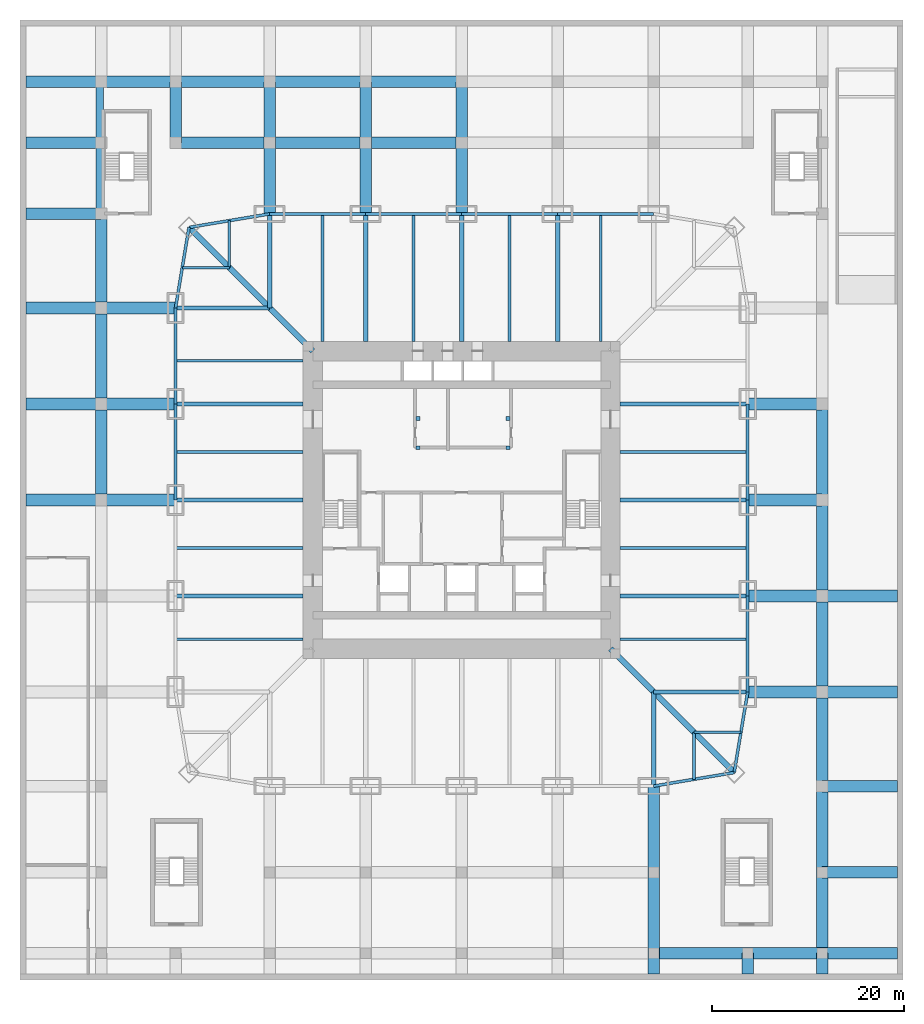
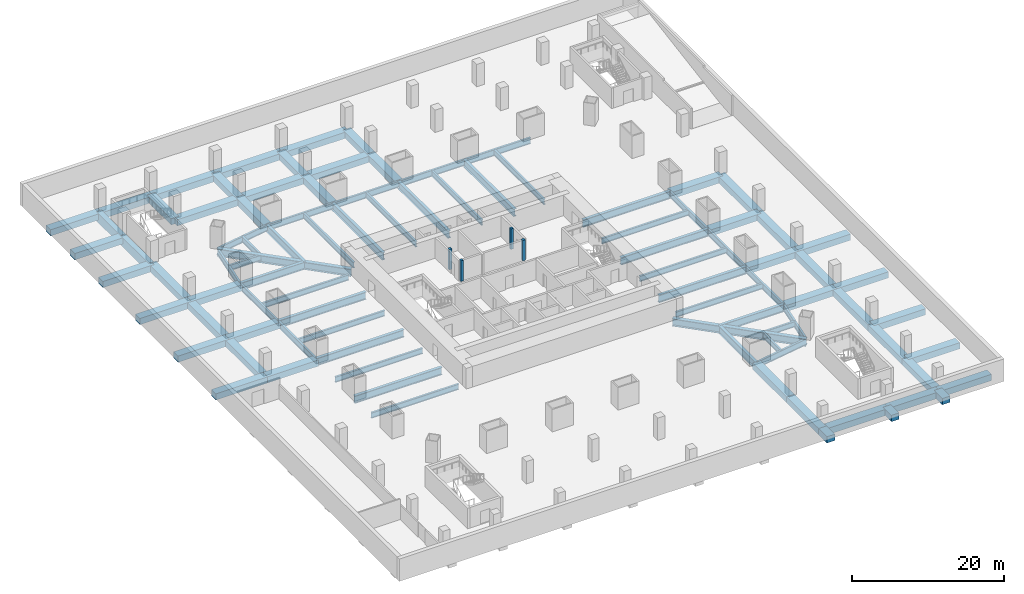
# One storey, part 2 of 11: 93 beams, 4 members.
"""IFC4 building model written with IfcOpenShell, lengths in metres."""

from ifc_helpers import new_model, si_unit, direction, frame, origin, origin_2d, place, context, subcontext, project, spatial, rectangle, i_section, extrude, material, material_profile, profile_set, type_object, element, save


model = new_model("IFC4")

# Units and contexts
model_context = context("Model", 3, precision=1e-05, world=origin(), true_north=direction((0.0, 1.0)))
body_context = subcontext(model_context, "Body", "Model", "MODEL_VIEW")
ifc_project = project(units=[si_unit("LENGTHUNIT", "METRE"), si_unit("AREAUNIT", "SQUARE_METRE"), si_unit("VOLUMEUNIT", "CUBIC_METRE"), si_unit("PLANEANGLEUNIT", "RADIAN"), si_unit("MASSUNIT", "GRAM", prefix="KILO")], contexts=[model_context])

# Site, building, storey
site_placement = place(None, origin())
site = spatial("IfcSite", under=ifc_project, at=site_placement, CompositionType="ELEMENT")
building_placement = place(site_placement, origin())
building = spatial("IfcBuilding", under=site, at=building_placement, Name="Khuree Lantern Residences", CompositionType="ELEMENT")
storey_placement = place(building_placement, frame((0.0, 0.0, -9.0)))
storey = spatial("IfcBuildingStorey", under=building, at=storey_placement, Name="B2", CompositionType="ELEMENT", Elevation=-9.0)

# Beams
ifc_material_1 = material(Name="Steel S355", Category="steel")
ifc_material_profile_1 = material_profile(ifc_material_1, i_section(OverallWidth=0.300048828125, OverallDepth=0.89990234375, WebThickness=0.0185546875, FlangeThickness=0.034912109375, FilletRadius=0.030029296875, at=origin_2d()), Name="HE 900 B")
ifc_profile_set_1 = profile_set([ifc_material_profile_1], Name="Steel S355")
beam_type_1 = type_object("IfcBeamType", Name="B-B2 SECONDARY BEAM HE 900 B", PredefinedType="BEAM", material=ifc_profile_set_1)
for number, where, z_axis, x_axis, name in (
    (1, (-14.5, 29.800048828125, -0.75), (0.0, -1.0, 0.0), (1.0, 0.0, 0.0), "Secondary beam N1"),
    (2, (-5.0, 29.800048828125, -0.75), (0.0, -1.0, 0.0), (1.0, 0.0, 0.0), "Secondary beam N2"),
    (3, (5.0, 29.800048828125, -0.75), (0.0, -1.0, 0.0), (1.0, 0.0, 0.0), "Secondary beam N3"),
    (4, (14.5, 29.800048828125, -0.75), (0.0, -1.0, 0.0), (1.0, 0.0, 0.0), "Secondary beam N4"),
    (5, (29.800048828125, 5.0, -0.75), (-1.0, 0.0, 0.0), (0.0, -1.0, 0.0), "Secondary beam E3"),
    (6, (29.800048828125, -5.0, -0.75), (-1.0, 0.0, 0.0), (0.0, -1.0, 0.0), "Secondary beam E4"),
    (7, (29.800048828125, -14.5, -0.75), (-1.0, 0.0, 0.0), (0.0, -1.0, 0.0), "Secondary beam E5"),
):
    element("IfcBeam", number, at=place(storey_placement, frame(where, z_axis=z_axis, x_axis=x_axis)), inside=storey, type_object=beam_type_1, Name=name, PredefinedType="BEAM", context=body_context, shape_type="SweptSolid", body=[
        extrude(i_section(OverallWidth=0.300048828125, OverallDepth=0.89990234375, WebThickness=0.0185546875, FlangeThickness=0.034912109375, FilletRadius=0.030029296875, at=origin_2d()), origin(), (0.0, 0.0, 1.0), 13.300048828125),
    ])
for number, where, z_axis, x_axis, name in (
    (8, (29.09716796875, -24.197021484375, -0.75), (-1.0, 0.0, 0.0), (0.0, -1.0, 0.0), "Secondary beam E6"),
    (9, (24.197021484375, -29.09716796875, -0.75), (0.0, 1.0, 0.0), (-1.0, 0.0, 0.0), "Secondary beam S1"),
):
    element("IfcBeam", number, at=place(storey_placement, frame(where, z_axis=z_axis, x_axis=x_axis)), inside=storey, type_object=beam_type_1, Name=name, PredefinedType="BEAM", context=body_context, shape_type="SweptSolid", body=[
        extrude(i_section(OverallWidth=0.300048828125, OverallDepth=0.89990234375, WebThickness=0.0185546875, FlangeThickness=0.034912109375, FilletRadius=0.030029296875, at=origin_2d()), origin(), (0.0, 0.0, 1.0), 4.900146484375),
    ])
for number, where, z_axis, x_axis, name in (
    (10, (-29.800048828125, -14.5, -0.75), (1.0, 0.0, 0.0), (0.0, 1.0, 0.0), "Secondary beam W2"),
    (11, (-29.800048828125, -5.0, -0.75), (1.0, 0.0, 0.0), (0.0, 1.0, 0.0), "Secondary beam W3"),
    (12, (-29.800048828125, 5.0, -0.75), (1.0, 0.0, 0.0), (0.0, 1.0, 0.0), "Secondary beam W4"),
    (13, (-29.800048828125, 14.5, -0.75), (1.0, 0.0, 0.0), (0.0, 1.0, 0.0), "Secondary beam W5"),
):
    element("IfcBeam", number, at=place(storey_placement, frame(where, z_axis=z_axis, x_axis=x_axis)), inside=storey, type_object=beam_type_1, Name=name, PredefinedType="BEAM", context=body_context, shape_type="SweptSolid", body=[
        extrude(i_section(OverallWidth=0.300048828125, OverallDepth=0.89990234375, WebThickness=0.0185546875, FlangeThickness=0.034912109375, FilletRadius=0.030029296875, at=origin_2d()), origin(), (0.0, 0.0, 1.0), 13.300048828125),
    ])
for number, where, z_axis, x_axis, name in (
    (14, (-29.09716796875, 24.197021484375, -0.75), (1.0, 0.0, 0.0), (0.0, 1.0, 0.0), "Secondary beam W6"),
    (15, (-24.197021484375, 29.09716796875, -0.75), (0.0, -1.0, 0.0), (1.0, 0.0, 0.0), "Secondary beam N6"),
):
    element("IfcBeam", number, at=place(storey_placement, frame(where, z_axis=z_axis, x_axis=x_axis)), inside=storey, type_object=beam_type_1, Name=name, PredefinedType="BEAM", context=body_context, shape_type="SweptSolid", body=[
        extrude(i_section(OverallWidth=0.300048828125, OverallDepth=0.89990234375, WebThickness=0.0185546875, FlangeThickness=0.034912109375, FilletRadius=0.030029296875, at=origin_2d()), origin(), (0.0, 0.0, 1.0), 4.900146484375),
    ])
ifc_material_profile_2 = material_profile(ifc_material_1, i_section(OverallWidth=0.300048828125, OverallDepth=1.0, WebThickness=0.01904296875, FlangeThickness=0.035888671875, FilletRadius=0.030029296875, at=origin_2d()), Name="HE 1000 B")
ifc_profile_set_2 = profile_set([ifc_material_profile_2], Name="Steel S355")
beam_type_2 = type_object("IfcBeamType", Name="E-B2 SPANDREL BEAM HE 1000 B", PredefinedType="SPANDREL", material=ifc_profile_set_2)
for number, where, z_axis, x_axis, name in (
    (16, (-20.0, 29.800048828125, -0.800048828125), (1.0, 0.0, 0.0), (0.0, 1.0, 0.0), "Spandrel beam N1"),
    (17, (-10.0, 29.800048828125, -0.800048828125), (1.0, 0.0, 0.0), (0.0, 1.0, 0.0), "Spandrel beam N2"),
    (18, (0.0, 29.800048828125, -0.800048828125), (1.0, 0.0, 0.0), (0.0, 1.0, 0.0), "Spandrel beam N3"),
    (19, (10.0, 29.800048828125, -0.800048828125), (1.0, 0.0, 0.0), (0.0, 1.0, 0.0), "Spandrel beam N4"),
    (20, (29.800048828125, 10.0, -0.800048828125), (0.0, -1.0, 0.0), (1.0, 0.0, 0.0), "Spandrel beam E3"),
    (21, (29.800048828125, 0.0, -0.800048828125), (0.0, -1.0, 0.0), (1.0, 0.0, 0.0), "Spandrel beam E4"),
    (22, (29.800048828125, -10.0, -0.800048828125), (0.0, -1.0, 0.0), (1.0, 0.0, 0.0), "Spandrel beam E5"),
):
    element("IfcBeam", number, at=place(storey_placement, frame(where, z_axis=z_axis, x_axis=x_axis)), inside=storey, type_object=beam_type_2, Name=name, PredefinedType="SPANDREL", context=body_context, shape_type="SweptSolid", body=[
        extrude(i_section(OverallWidth=0.300048828125, OverallDepth=1.0, WebThickness=0.01904296875, FlangeThickness=0.035888671875, FilletRadius=0.030029296875, at=origin_2d()), origin(), (0.0, 0.0, 1.0), 10.0),
    ])
for number, where, z_axis, x_axis, name in (
    (23, (29.800048828125, -20.0, -0.800048828125), (-0.165199022349, -0.986260251158, 0.0), (0.986260251158, -0.165199022349, 0.0), "Spandrel beam E6"),
    (24, (28.39404296875, -28.39404296875, -0.800048828125), (-0.986260251158, -0.165199022349, 0.0), (0.165199022349, -0.986260251158, 0.0), "Spandrel beam S1"),
):
    element("IfcBeam", number, at=place(storey_placement, frame(where, z_axis=z_axis, x_axis=x_axis)), inside=storey, type_object=beam_type_2, Name=name, PredefinedType="SPANDREL", context=body_context, shape_type="SweptSolid", body=[
        extrude(i_section(OverallWidth=0.300048828125, OverallDepth=1.0, WebThickness=0.01904296875, FlangeThickness=0.035888671875, FilletRadius=0.030029296875, at=origin_2d()), origin(), (0.0, 0.0, 1.0), 8.510986328125),
    ])
for number, where, z_axis, x_axis, name in (
    (25, (-29.800048828125, 0.0, -0.800048828125), (0.0, 1.0, 0.0), (-1.0, 0.0, 0.0), "Spandrel beam W4"),
    (26, (-29.800048828125, 10.0, -0.800048828125), (0.0, 1.0, 0.0), (-1.0, 0.0, 0.0), "Spandrel beam W5"),
):
    element("IfcBeam", number, at=place(storey_placement, frame(where, z_axis=z_axis, x_axis=x_axis)), inside=storey, type_object=beam_type_2, Name=name, PredefinedType="SPANDREL", context=body_context, shape_type="SweptSolid", body=[
        extrude(i_section(OverallWidth=0.300048828125, OverallDepth=1.0, WebThickness=0.01904296875, FlangeThickness=0.035888671875, FilletRadius=0.030029296875, at=origin_2d()), origin(), (0.0, 0.0, 1.0), 10.0),
    ])
for number, where, z_axis, x_axis, name in (
    (27, (-29.800048828125, 20.0, -0.800048828125), (0.165199022349, 0.986260251158, 0.0), (-0.986260251158, 0.165199022349, 0.0), "Spandrel beam W6"),
    (28, (-28.39404296875, 28.39404296875, -0.800048828125), (0.986260251158, 0.165199022349, 0.0), (-0.165199022349, 0.986260251158, 0.0), "Spandrel beam N6"),
):
    element("IfcBeam", number, at=place(storey_placement, frame(where, z_axis=z_axis, x_axis=x_axis)), inside=storey, type_object=beam_type_2, Name=name, PredefinedType="SPANDREL", context=body_context, shape_type="SweptSolid", body=[
        extrude(i_section(OverallWidth=0.300048828125, OverallDepth=1.0, WebThickness=0.01904296875, FlangeThickness=0.035888671875, FilletRadius=0.030029296875, at=origin_2d()), origin(), (0.0, 0.0, 1.0), 8.510986328125),
    ])
ifc_material_profile_3 = material_profile(ifc_material_1, i_section(OverallWidth=0.449951171875, OverallDepth=1.199951171875, WebThickness=0.02490234375, FlangeThickness=0.044921875, at=origin_2d()), Name="WELDED I 1200X450X25X45")
ifc_profile_set_3 = profile_set([ifc_material_profile_3], Name="Steel S355")
beam_type_3 = type_object("IfcBeamType", Name="G-B2 GIRDER WELDED I 1200X450X25X45", PredefinedType="BEAM", material=ifc_profile_set_3)
beam_1_placement = place(storey_placement, frame((-20.0, 29.800048828125, -0.89990234375), z_axis=(0.0, -1.0, 0.0), x_axis=(1.0, 0.0, 0.0)))
element("IfcBeam", 29, at=beam_1_placement, inside=storey, type_object=beam_type_3, Name="Girder N1", PredefinedType="BEAM", context=body_context, shape_type="SweptSolid", body=[
    extrude(i_section(OverallWidth=0.449951171875, OverallDepth=1.199951171875, WebThickness=0.02490234375, FlangeThickness=0.044921875, at=origin_2d()), origin(), (0.0, 0.0, 1.0), 9.800048828125),
])
for number, where, z_axis, x_axis, name in (
    (30, (-10.0, 29.800048828125, -0.89990234375), (0.0, -1.0, 0.0), (1.0, 0.0, 0.0), "Girder N2"),
    (31, (0.0, 29.800048828125, -0.89990234375), (0.0, -1.0, 0.0), (1.0, 0.0, 0.0), "Girder N3"),
    (32, (10.0, 29.800048828125, -0.89990234375), (0.0, -1.0, 0.0), (1.0, 0.0, 0.0), "Girder N4"),
    (33, (29.800048828125, 10.0, -0.89990234375), (-1.0, 0.0, 0.0), (0.0, -1.0, 0.0), "Girder E2"),
    (34, (29.800048828125, 0.0, -0.89990234375), (-1.0, 0.0, 0.0), (0.0, -1.0, 0.0), "Girder E3"),
    (35, (29.800048828125, -10.0, -0.89990234375), (-1.0, 0.0, 0.0), (0.0, -1.0, 0.0), "Girder E4"),
):
    element("IfcBeam", number, at=place(storey_placement, frame(where, z_axis=z_axis, x_axis=x_axis)), inside=storey, type_object=beam_type_3, Name=name, PredefinedType="BEAM", context=body_context, shape_type="SweptSolid", body=[
        extrude(i_section(OverallWidth=0.449951171875, OverallDepth=1.199951171875, WebThickness=0.02490234375, FlangeThickness=0.044921875, at=origin_2d()), origin(), (0.0, 0.0, 1.0), 13.300048828125),
    ])
for number, where, z_axis, x_axis, name in (
    (36, (29.800048828125, -20.0, -0.89990234375), (-1.0, 0.0, 0.0), (0.0, -1.0, 0.0), "Girder E5"),
    (37, (20.0, -29.800048828125, -0.89990234375), (0.0, 1.0, 0.0), (-1.0, 0.0, 0.0), "Girder S1"),
):
    element("IfcBeam", number, at=place(storey_placement, frame(where, z_axis=z_axis, x_axis=x_axis)), inside=storey, type_object=beam_type_3, Name=name, PredefinedType="BEAM", context=body_context, shape_type="SweptSolid", body=[
        extrude(i_section(OverallWidth=0.449951171875, OverallDepth=1.199951171875, WebThickness=0.02490234375, FlangeThickness=0.044921875, at=origin_2d()), origin(), (0.0, 0.0, 1.0), 9.800048828125),
    ])
for number, where, z_axis, x_axis, name in (
    (38, (-29.800048828125, -10.0, -0.89990234375), (1.0, 0.0, 0.0), (0.0, 1.0, 0.0), "Girder W2"),
    (39, (-29.800048828125, 0.0, -0.89990234375), (1.0, 0.0, 0.0), (0.0, 1.0, 0.0), "Girder W3"),
    (40, (-29.800048828125, 10.0, -0.89990234375), (1.0, 0.0, 0.0), (0.0, 1.0, 0.0), "Girder W4"),
):
    element("IfcBeam", number, at=place(storey_placement, frame(where, z_axis=z_axis, x_axis=x_axis)), inside=storey, type_object=beam_type_3, Name=name, PredefinedType="BEAM", context=body_context, shape_type="SweptSolid", body=[
        extrude(i_section(OverallWidth=0.449951171875, OverallDepth=1.199951171875, WebThickness=0.02490234375, FlangeThickness=0.044921875, at=origin_2d()), origin(), (0.0, 0.0, 1.0), 13.300048828125),
    ])
beam_2_placement = place(storey_placement, frame((-29.800048828125, 20.0, -0.89990234375), z_axis=(1.0, 0.0, 0.0), x_axis=(0.0, 1.0, 0.0)))
element("IfcBeam", 41, at=beam_2_placement, inside=storey, type_object=beam_type_3, Name="Girder W5", PredefinedType="BEAM", context=body_context, shape_type="SweptSolid", body=[
    extrude(i_section(OverallWidth=0.449951171875, OverallDepth=1.199951171875, WebThickness=0.02490234375, FlangeThickness=0.044921875, at=origin_2d()), origin(), (0.0, 0.0, 1.0), 9.800048828125),
])
ifc_material_profile_4 = material_profile(ifc_material_1, i_section(OverallWidth=0.60009765625, OverallDepth=1.199951171875, WebThickness=0.030029296875, FlangeThickness=0.06005859375, at=origin_2d()), Name="WELDED I 1200X600X30X60")
ifc_profile_set_4 = profile_set([ifc_material_profile_4], Name="Steel S355")
beam_type_4 = type_object("IfcBeamType", Name="GD-B2 CORNER GIRDER WELDED I 1200X600X30X60", PredefinedType="BEAM", material=ifc_profile_set_4)
for number, where, z_axis, x_axis, name in (
    (42, (28.39404296875, -28.39404296875, -0.89990234375), (-0.707106781187, 0.707106781187, 0.0), (-0.707106781187, -0.707106781187, 0.0), "Corner girder SE"),
    (43, (-28.39404296875, 28.39404296875, -0.89990234375), (0.707106781187, -0.707106781187, 0.0), (0.707106781187, 0.707106781187, 0.0), "Corner girder NW"),
):
    element("IfcBeam", number, at=place(storey_placement, frame(where, z_axis=z_axis, x_axis=x_axis)), inside=storey, type_object=beam_type_4, Name=name, PredefinedType="BEAM", context=body_context, shape_type="SweptSolid", body=[
        extrude(i_section(OverallWidth=0.60009765625, OverallDepth=1.199951171875, WebThickness=0.030029296875, FlangeThickness=0.06005859375, at=origin_2d()), origin(), (0.0, 0.0, 1.0), 18.23486328125),
    ])

# Members
ifc_material_2 = material(Name="Concrete C40/50", Category="concrete")
ifc_material_profile_5 = material_profile(ifc_material_2, rectangle(XDim=0.39990234375, YDim=0.39990234375, at=origin_2d()), Name="RC 400X400")
ifc_profile_set_5 = profile_set([ifc_material_profile_5], Name="Concrete C40/50")
member_type = type_object("IfcMemberType", Name="LIFT PIT POST PP1 RC 400X400", PredefinedType="POST", material=ifc_profile_set_5)
for number, where, z_axis, x_axis, name in (
    (44, (-4.550048828125, 5.449951171875, 0.0), (0.0, 0.0, 1.0), (1.0, 0.0, 0.0), "Lift bank PH pit post"),
    (45, (4.85009765625, 5.449951171875, 0.0), (0.0, 0.0, 1.0), (1.0, 0.0, 0.0), "Lift bank PH pit post"),
    (46, (-4.550048828125, 8.5, 0.0), (0.0, 0.0, 1.0), (1.0, 0.0, 0.0), "Lift bank PH pit post"),
    (47, (4.85009765625, 8.5, 0.0), (0.0, 0.0, 1.0), (1.0, 0.0, 0.0), "Lift bank PH pit post"),
):
    element("IfcMember", number, at=place(storey_placement, frame(where, z_axis=z_axis, x_axis=x_axis)), inside=storey, type_object=member_type, Name=name, PredefinedType="POST", context=body_context, shape_type="SweptSolid", body=[
        extrude(rectangle(XDim=0.39990234375, YDim=0.39990234375, at=origin_2d()), origin(), (0.0, 0.0, 1.0), 3.300048828125),
    ])

# Beams
ifc_material_profile_6 = material_profile(ifc_material_2, rectangle(XDim=1.199951171875, YDim=1.0, at=origin_2d()), Name="RC 1200X1000")
ifc_profile_set_6 = profile_set([ifc_material_profile_6], Name="Concrete C40/50")
beam_type_5 = type_object("IfcBeamType", Name="RB1 BASEMENT BEAM RC 1200X1000", PredefinedType="BEAM", material=ifc_profile_set_6)
beam_3_placement = place(storey_placement, frame((20.0, -47.199951171875, -0.800048828125), z_axis=(1.0, 0.0, 0.0), x_axis=(0.0, 1.0, 0.0)))
element("IfcBeam", 48, at=beam_3_placement, inside=storey, type_object=beam_type_5, Name="Basement beam RB-8", PredefinedType="BEAM", context=body_context, shape_type="SweptSolid", body=[
    extrude(rectangle(XDim=1.199951171875, YDim=1.0, at=origin_2d()), origin(), (0.0, 0.0, 1.0), 9.800048828125),
])
beam_4_placement = place(storey_placement, frame((29.800048828125, -47.199951171875, -0.800048828125), z_axis=(1.0, 0.0, 0.0), x_axis=(0.0, 1.0, 0.0)))
element("IfcBeam", 49, at=beam_4_placement, inside=storey, type_object=beam_type_5, Name="Basement beam RB-9", PredefinedType="BEAM", context=body_context, shape_type="SweptSolid", body=[
    extrude(rectangle(XDim=1.199951171875, YDim=1.0, at=origin_2d()), origin(), (0.0, 0.0, 1.0), 7.75),
])
for number, where, z_axis, x_axis, name in (
    (50, (37.550048828125, -47.199951171875, -0.800048828125), (1.0, 0.0, 0.0), (0.0, 1.0, 0.0), "Basement beam RB-10"),
    (51, (37.550048828125, -38.800048828125, -0.800048828125), (1.0, 0.0, 0.0), (0.0, 1.0, 0.0), "Basement beam RB-16"),
    (52, (37.550048828125, -29.800048828125, -0.800048828125), (1.0, 0.0, 0.0), (0.0, 1.0, 0.0), "Basement beam RB-18"),
):
    element("IfcBeam", number, at=place(storey_placement, frame(where, z_axis=z_axis, x_axis=x_axis)), inside=storey, type_object=beam_type_5, Name=name, PredefinedType="BEAM", context=body_context, shape_type="SweptSolid", body=[
        extrude(rectangle(XDim=1.199951171875, YDim=1.0, at=origin_2d()), origin(), (0.0, 0.0, 1.0), 7.849853515625),
    ])
beam_5_placement = place(storey_placement, frame((29.800048828125, -20.0, -0.800048828125), z_axis=(1.0, 0.0, 0.0), x_axis=(0.0, 1.0, 0.0)))
element("IfcBeam", 53, at=beam_5_placement, inside=storey, type_object=beam_type_5, Name="Basement beam RB-21", PredefinedType="BEAM", context=body_context, shape_type="SweptSolid", body=[
    extrude(rectangle(XDim=1.199951171875, YDim=1.0, at=origin_2d()), origin(), (0.0, 0.0, 1.0), 7.75),
])
beam_6_placement = place(storey_placement, frame((37.550048828125, -20.0, -0.800048828125), z_axis=(1.0, 0.0, 0.0), x_axis=(0.0, 1.0, 0.0)))
element("IfcBeam", 54, at=beam_6_placement, inside=storey, type_object=beam_type_5, Name="Basement beam RB-22", PredefinedType="BEAM", context=body_context, shape_type="SweptSolid", body=[
    extrude(rectangle(XDim=1.199951171875, YDim=1.0, at=origin_2d()), origin(), (0.0, 0.0, 1.0), 7.849853515625),
])
beam_7_placement = place(storey_placement, frame((29.800048828125, -10.0, -0.800048828125), z_axis=(1.0, 0.0, 0.0), x_axis=(0.0, 1.0, 0.0)))
element("IfcBeam", 55, at=beam_7_placement, inside=storey, type_object=beam_type_5, Name="Basement beam RB-25", PredefinedType="BEAM", context=body_context, shape_type="SweptSolid", body=[
    extrude(rectangle(XDim=1.199951171875, YDim=1.0, at=origin_2d()), origin(), (0.0, 0.0, 1.0), 7.75),
])
for number, where, z_axis, x_axis, name in (
    (56, (37.550048828125, -10.0, -0.800048828125), (1.0, 0.0, 0.0), (0.0, 1.0, 0.0), "Basement beam RB-26"),
    (57, (-45.39990234375, 0.0, -0.800048828125), (1.0, 0.0, 0.0), (0.0, 1.0, 0.0), "Basement beam RB-27"),
):
    element("IfcBeam", number, at=place(storey_placement, frame(where, z_axis=z_axis, x_axis=x_axis)), inside=storey, type_object=beam_type_5, Name=name, PredefinedType="BEAM", context=body_context, shape_type="SweptSolid", body=[
        extrude(rectangle(XDim=1.199951171875, YDim=1.0, at=origin_2d()), origin(), (0.0, 0.0, 1.0), 7.849853515625),
    ])
for number, where, z_axis, x_axis, name in (
    (58, (-37.550048828125, 0.0, -0.800048828125), (1.0, 0.0, 0.0), (0.0, 1.0, 0.0), "Basement beam RB-28"),
    (59, (29.800048828125, 0.0, -0.800048828125), (1.0, 0.0, 0.0), (0.0, 1.0, 0.0), "Basement beam RB-29"),
):
    element("IfcBeam", number, at=place(storey_placement, frame(where, z_axis=z_axis, x_axis=x_axis)), inside=storey, type_object=beam_type_5, Name=name, PredefinedType="BEAM", context=body_context, shape_type="SweptSolid", body=[
        extrude(rectangle(XDim=1.199951171875, YDim=1.0, at=origin_2d()), origin(), (0.0, 0.0, 1.0), 7.75),
    ])
beam_8_placement = place(storey_placement, frame((-45.39990234375, 10.0, -0.800048828125), z_axis=(1.0, 0.0, 0.0), x_axis=(0.0, 1.0, 0.0)))
element("IfcBeam", 60, at=beam_8_placement, inside=storey, type_object=beam_type_5, Name="Basement beam RB-30", PredefinedType="BEAM", context=body_context, shape_type="SweptSolid", body=[
    extrude(rectangle(XDim=1.199951171875, YDim=1.0, at=origin_2d()), origin(), (0.0, 0.0, 1.0), 7.849853515625),
])
for number, where, z_axis, x_axis, name in (
    (61, (-37.550048828125, 10.0, -0.800048828125), (1.0, 0.0, 0.0), (0.0, 1.0, 0.0), "Basement beam RB-31"),
    (62, (29.800048828125, 10.0, -0.800048828125), (1.0, 0.0, 0.0), (0.0, 1.0, 0.0), "Basement beam RB-32"),
):
    element("IfcBeam", number, at=place(storey_placement, frame(where, z_axis=z_axis, x_axis=x_axis)), inside=storey, type_object=beam_type_5, Name=name, PredefinedType="BEAM", context=body_context, shape_type="SweptSolid", body=[
        extrude(rectangle(XDim=1.199951171875, YDim=1.0, at=origin_2d()), origin(), (0.0, 0.0, 1.0), 7.75),
    ])
beam_9_placement = place(storey_placement, frame((-45.39990234375, 20.0, -0.800048828125), z_axis=(1.0, 0.0, 0.0), x_axis=(0.0, 1.0, 0.0)))
element("IfcBeam", 63, at=beam_9_placement, inside=storey, type_object=beam_type_5, Name="Basement beam RB-33", PredefinedType="BEAM", context=body_context, shape_type="SweptSolid", body=[
    extrude(rectangle(XDim=1.199951171875, YDim=1.0, at=origin_2d()), origin(), (0.0, 0.0, 1.0), 7.849853515625),
])
beam_10_placement = place(storey_placement, frame((-37.550048828125, 20.0, -0.800048828125), z_axis=(1.0, 0.0, 0.0), x_axis=(0.0, 1.0, 0.0)))
element("IfcBeam", 64, at=beam_10_placement, inside=storey, type_object=beam_type_5, Name="Basement beam RB-34", PredefinedType="BEAM", context=body_context, shape_type="SweptSolid", body=[
    extrude(rectangle(XDim=1.199951171875, YDim=1.0, at=origin_2d()), origin(), (0.0, 0.0, 1.0), 7.75),
])
for number, where, z_axis, x_axis, name in (
    (65, (-45.39990234375, 29.800048828125, -0.800048828125), (1.0, 0.0, 0.0), (0.0, 1.0, 0.0), "Basement beam RB-36"),
    (66, (-45.39990234375, 37.199951171875, -0.800048828125), (1.0, 0.0, 0.0), (0.0, 1.0, 0.0), "Basement beam RB-37"),
):
    element("IfcBeam", number, at=place(storey_placement, frame(where, z_axis=z_axis, x_axis=x_axis)), inside=storey, type_object=beam_type_5, Name=name, PredefinedType="BEAM", context=body_context, shape_type="SweptSolid", body=[
        extrude(rectangle(XDim=1.199951171875, YDim=1.0, at=origin_2d()), origin(), (0.0, 0.0, 1.0), 7.849853515625),
    ])
beam_11_placement = place(storey_placement, frame((-29.800048828125, 37.199951171875, -0.800048828125), z_axis=(1.0, 0.0, 0.0), x_axis=(0.0, 1.0, 0.0)))
element("IfcBeam", 67, at=beam_11_placement, inside=storey, type_object=beam_type_5, Name="Basement beam RB-38", PredefinedType="BEAM", context=body_context, shape_type="SweptSolid", body=[
    extrude(rectangle(XDim=1.199951171875, YDim=1.0, at=origin_2d()), origin(), (0.0, 0.0, 1.0), 9.800048828125),
])
for number, where, z_axis, x_axis, name in (
    (68, (-20.0, 37.199951171875, -0.800048828125), (1.0, 0.0, 0.0), (0.0, 1.0, 0.0), "Basement beam RB-39"),
    (69, (-10.0, 37.199951171875, -0.800048828125), (1.0, 0.0, 0.0), (0.0, 1.0, 0.0), "Basement beam RB-40"),
):
    element("IfcBeam", number, at=place(storey_placement, frame(where, z_axis=z_axis, x_axis=x_axis)), inside=storey, type_object=beam_type_5, Name=name, PredefinedType="BEAM", context=body_context, shape_type="SweptSolid", body=[
        extrude(rectangle(XDim=1.199951171875, YDim=1.0, at=origin_2d()), origin(), (0.0, 0.0, 1.0), 10.0),
    ])
beam_12_placement = place(storey_placement, frame((-45.39990234375, 43.550048828125, -0.800048828125), z_axis=(1.0, 0.0, 0.0), x_axis=(0.0, 1.0, 0.0)))
element("IfcBeam", 70, at=beam_12_placement, inside=storey, type_object=beam_type_5, Name="Basement beam RB-44", PredefinedType="BEAM", context=body_context, shape_type="SweptSolid", body=[
    extrude(rectangle(XDim=1.199951171875, YDim=1.0, at=origin_2d()), origin(), (0.0, 0.0, 1.0), 7.849853515625),
])
beam_13_placement = place(storey_placement, frame((-37.550048828125, 43.550048828125, -0.800048828125), z_axis=(1.0, 0.0, 0.0), x_axis=(0.0, 1.0, 0.0)))
element("IfcBeam", 71, at=beam_13_placement, inside=storey, type_object=beam_type_5, Name="Basement beam RB-45", PredefinedType="BEAM", context=body_context, shape_type="SweptSolid", body=[
    extrude(rectangle(XDim=1.199951171875, YDim=1.0, at=origin_2d()), origin(), (0.0, 0.0, 1.0), 7.75),
])
beam_14_placement = place(storey_placement, frame((-29.800048828125, 43.550048828125, -0.800048828125), z_axis=(1.0, 0.0, 0.0), x_axis=(0.0, 1.0, 0.0)))
element("IfcBeam", 72, at=beam_14_placement, inside=storey, type_object=beam_type_5, Name="Basement beam RB-46", PredefinedType="BEAM", context=body_context, shape_type="SweptSolid", body=[
    extrude(rectangle(XDim=1.199951171875, YDim=1.0, at=origin_2d()), origin(), (0.0, 0.0, 1.0), 9.800048828125),
])
for number, where, z_axis, x_axis, name in (
    (73, (-20.0, 43.550048828125, -0.800048828125), (1.0, 0.0, 0.0), (0.0, 1.0, 0.0), "Basement beam RB-47"),
    (74, (-10.0, 43.550048828125, -0.800048828125), (1.0, 0.0, 0.0), (0.0, 1.0, 0.0), "Basement beam RB-48"),
    (75, (-37.550048828125, 0.0, -0.800048828125), (0.0, 1.0, 0.0), (-1.0, 0.0, 0.0), "Basement beam RB-59"),
    (76, (-37.550048828125, 10.0, -0.800048828125), (0.0, 1.0, 0.0), (-1.0, 0.0, 0.0), "Basement beam RB-60"),
):
    element("IfcBeam", number, at=place(storey_placement, frame(where, z_axis=z_axis, x_axis=x_axis)), inside=storey, type_object=beam_type_5, Name=name, PredefinedType="BEAM", context=body_context, shape_type="SweptSolid", body=[
        extrude(rectangle(XDim=1.199951171875, YDim=1.0, at=origin_2d()), origin(), (0.0, 0.0, 1.0), 10.0),
    ])
beam_15_placement = place(storey_placement, frame((-37.550048828125, 20.0, -0.800048828125), z_axis=(0.0, 1.0, 0.0), x_axis=(-1.0, 0.0, 0.0)))
element("IfcBeam", 77, at=beam_15_placement, inside=storey, type_object=beam_type_5, Name="Basement beam RB-61", PredefinedType="BEAM", context=body_context, shape_type="SweptSolid", body=[
    extrude(rectangle(XDim=1.199951171875, YDim=1.0, at=origin_2d()), origin(), (0.0, 0.0, 1.0), 9.800048828125),
])
beam_16_placement = place(storey_placement, frame((-29.800048828125, 37.199951171875, -0.800048828125), z_axis=(0.0, 1.0, 0.0), x_axis=(-1.0, 0.0, 0.0)))
element("IfcBeam", 78, at=beam_16_placement, inside=storey, type_object=beam_type_5, Name="Basement beam RB-66", PredefinedType="BEAM", context=body_context, shape_type="SweptSolid", body=[
    extrude(rectangle(XDim=1.199951171875, YDim=1.0, at=origin_2d()), origin(), (0.0, 0.0, 1.0), 6.35009765625),
])
beam_17_placement = place(storey_placement, frame((-20.0, 29.800048828125, -0.800048828125), z_axis=(0.0, 1.0, 0.0), x_axis=(-1.0, 0.0, 0.0)))
element("IfcBeam", 79, at=beam_17_placement, inside=storey, type_object=beam_type_5, Name="Basement beam RB-71", PredefinedType="BEAM", context=body_context, shape_type="SweptSolid", body=[
    extrude(rectangle(XDim=1.199951171875, YDim=1.0, at=origin_2d()), origin(), (0.0, 0.0, 1.0), 7.39990234375),
])
beam_18_placement = place(storey_placement, frame((-20.0, 37.199951171875, -0.800048828125), z_axis=(0.0, 1.0, 0.0), x_axis=(-1.0, 0.0, 0.0)))
element("IfcBeam", 80, at=beam_18_placement, inside=storey, type_object=beam_type_5, Name="Basement beam RB-72", PredefinedType="BEAM", context=body_context, shape_type="SweptSolid", body=[
    extrude(rectangle(XDim=1.199951171875, YDim=1.0, at=origin_2d()), origin(), (0.0, 0.0, 1.0), 6.35009765625),
])
beam_19_placement = place(storey_placement, frame((-10.0, 29.800048828125, -0.800048828125), z_axis=(0.0, 1.0, 0.0), x_axis=(-1.0, 0.0, 0.0)))
element("IfcBeam", 81, at=beam_19_placement, inside=storey, type_object=beam_type_5, Name="Basement beam RB-77", PredefinedType="BEAM", context=body_context, shape_type="SweptSolid", body=[
    extrude(rectangle(XDim=1.199951171875, YDim=1.0, at=origin_2d()), origin(), (0.0, 0.0, 1.0), 7.39990234375),
])
beam_20_placement = place(storey_placement, frame((-10.0, 37.199951171875, -0.800048828125), z_axis=(0.0, 1.0, 0.0), x_axis=(-1.0, 0.0, 0.0)))
element("IfcBeam", 82, at=beam_20_placement, inside=storey, type_object=beam_type_5, Name="Basement beam RB-78", PredefinedType="BEAM", context=body_context, shape_type="SweptSolid", body=[
    extrude(rectangle(XDim=1.199951171875, YDim=1.0, at=origin_2d()), origin(), (0.0, 0.0, 1.0), 6.35009765625),
])
beam_21_placement = place(storey_placement, frame((0.0, 29.800048828125, -0.800048828125), z_axis=(0.0, 1.0, 0.0), x_axis=(-1.0, 0.0, 0.0)))
element("IfcBeam", 83, at=beam_21_placement, inside=storey, type_object=beam_type_5, Name="Basement beam RB-83", PredefinedType="BEAM", context=body_context, shape_type="SweptSolid", body=[
    extrude(rectangle(XDim=1.199951171875, YDim=1.0, at=origin_2d()), origin(), (0.0, 0.0, 1.0), 7.39990234375),
])
beam_22_placement = place(storey_placement, frame((0.0, 37.199951171875, -0.800048828125), z_axis=(0.0, 1.0, 0.0), x_axis=(-1.0, 0.0, 0.0)))
element("IfcBeam", 84, at=beam_22_placement, inside=storey, type_object=beam_type_5, Name="Basement beam RB-84", PredefinedType="BEAM", context=body_context, shape_type="SweptSolid", body=[
    extrude(rectangle(XDim=1.199951171875, YDim=1.0, at=origin_2d()), origin(), (0.0, 0.0, 1.0), 6.35009765625),
])
beam_23_placement = place(storey_placement, frame((20.0, -49.39990234375, -0.800048828125), z_axis=(0.0, 1.0, 0.0), x_axis=(-1.0, 0.0, 0.0)))
element("IfcBeam", 85, at=beam_23_placement, inside=storey, type_object=beam_type_5, Name="Basement beam RB-92", PredefinedType="BEAM", context=body_context, shape_type="SweptSolid", body=[
    extrude(rectangle(XDim=1.199951171875, YDim=1.0, at=origin_2d()), origin(), (0.0, 0.0, 1.0), 2.199951171875),
])
beam_24_placement = place(storey_placement, frame((20.0, -47.199951171875, -0.800048828125), z_axis=(0.0, 1.0, 0.0), x_axis=(-1.0, 0.0, 0.0)))
element("IfcBeam", 86, at=beam_24_placement, inside=storey, type_object=beam_type_5, Name="Basement beam RB-93", PredefinedType="BEAM", context=body_context, shape_type="SweptSolid", body=[
    extrude(rectangle(XDim=1.199951171875, YDim=1.0, at=origin_2d()), origin(), (0.0, 0.0, 1.0), 8.39990234375),
])
beam_25_placement = place(storey_placement, frame((20.0, -38.800048828125, -0.800048828125), z_axis=(0.0, 1.0, 0.0), x_axis=(-1.0, 0.0, 0.0)))
element("IfcBeam", 87, at=beam_25_placement, inside=storey, type_object=beam_type_5, Name="Basement beam RB-94", PredefinedType="BEAM", context=body_context, shape_type="SweptSolid", body=[
    extrude(rectangle(XDim=1.199951171875, YDim=1.0, at=origin_2d()), origin(), (0.0, 0.0, 1.0), 9.0),
])
for number, where, z_axis, x_axis, name in (
    (88, (29.800048828125, -49.39990234375, -0.800048828125), (0.0, 1.0, 0.0), (-1.0, 0.0, 0.0), "Basement beam RB-98"),
    (89, (37.550048828125, -49.39990234375, -0.800048828125), (0.0, 1.0, 0.0), (-1.0, 0.0, 0.0), "Basement beam RB-101"),
):
    element("IfcBeam", number, at=place(storey_placement, frame(where, z_axis=z_axis, x_axis=x_axis)), inside=storey, type_object=beam_type_5, Name=name, PredefinedType="BEAM", context=body_context, shape_type="SweptSolid", body=[
        extrude(rectangle(XDim=1.199951171875, YDim=1.0, at=origin_2d()), origin(), (0.0, 0.0, 1.0), 2.199951171875),
    ])
beam_26_placement = place(storey_placement, frame((37.550048828125, -47.199951171875, -0.800048828125), z_axis=(0.0, 1.0, 0.0), x_axis=(-1.0, 0.0, 0.0)))
element("IfcBeam", 90, at=beam_26_placement, inside=storey, type_object=beam_type_5, Name="Basement beam RB-102", PredefinedType="BEAM", context=body_context, shape_type="SweptSolid", body=[
    extrude(rectangle(XDim=1.199951171875, YDim=1.0, at=origin_2d()), origin(), (0.0, 0.0, 1.0), 8.39990234375),
])
beam_27_placement = place(storey_placement, frame((37.550048828125, -38.800048828125, -0.800048828125), z_axis=(0.0, 1.0, 0.0), x_axis=(-1.0, 0.0, 0.0)))
element("IfcBeam", 91, at=beam_27_placement, inside=storey, type_object=beam_type_5, Name="Basement beam RB-103", PredefinedType="BEAM", context=body_context, shape_type="SweptSolid", body=[
    extrude(rectangle(XDim=1.199951171875, YDim=1.0, at=origin_2d()), origin(), (0.0, 0.0, 1.0), 9.0),
])
beam_28_placement = place(storey_placement, frame((37.550048828125, -29.800048828125, -0.800048828125), z_axis=(0.0, 1.0, 0.0), x_axis=(-1.0, 0.0, 0.0)))
element("IfcBeam", 92, at=beam_28_placement, inside=storey, type_object=beam_type_5, Name="Basement beam RB-104", PredefinedType="BEAM", context=body_context, shape_type="SweptSolid", body=[
    extrude(rectangle(XDim=1.199951171875, YDim=1.0, at=origin_2d()), origin(), (0.0, 0.0, 1.0), 9.800048828125),
])
for number, where, z_axis, x_axis, name in (
    (93, (37.550048828125, -20.0, -0.800048828125), (0.0, 1.0, 0.0), (-1.0, 0.0, 0.0), "Basement beam RB-105"),
    (94, (37.550048828125, -10.0, -0.800048828125), (0.0, 1.0, 0.0), (-1.0, 0.0, 0.0), "Basement beam RB-106"),
    (95, (37.550048828125, 0.0, -0.800048828125), (0.0, 1.0, 0.0), (-1.0, 0.0, 0.0), "Basement beam RB-107"),
):
    element("IfcBeam", number, at=place(storey_placement, frame(where, z_axis=z_axis, x_axis=x_axis)), inside=storey, type_object=beam_type_5, Name=name, PredefinedType="BEAM", context=body_context, shape_type="SweptSolid", body=[
        extrude(rectangle(XDim=1.199951171875, YDim=1.0, at=origin_2d()), origin(), (0.0, 0.0, 1.0), 10.0),
    ])
ifc_material_profile_7 = material_profile(ifc_material_2, rectangle(XDim=0.800048828125, YDim=1.5, at=origin_2d()), Name="RC 800X1500")
ifc_profile_set_7 = profile_set([ifc_material_profile_7], Name="Concrete C40/50")
beam_type_6 = type_object("IfcBeamType", Name="RB6 BASEMENT BEAM AT STAIR RC 800X1500", PredefinedType="BEAM", material=ifc_profile_set_7)
beam_29_placement = place(storey_placement, frame((-37.699951171875, 29.800048828125, -1.050048828125), z_axis=(0.0, 1.0, 0.0), x_axis=(-1.0, 0.0, 0.0)))
element("IfcBeam", 96, at=beam_29_placement, inside=storey, type_object=beam_type_6, Name="Basement beam at stair RB-62", PredefinedType="BEAM", context=body_context, shape_type="SweptSolid", body=[
    extrude(rectangle(XDim=0.800048828125, YDim=1.5, at=origin_2d()), origin(), (0.0, 0.0, 1.0), 7.39990234375),
])
beam_30_placement = place(storey_placement, frame((-37.699951171875, 37.199951171875, -1.050048828125), z_axis=(0.0, 1.0, 0.0), x_axis=(-1.0, 0.0, 0.0)))
element("IfcBeam", 97, at=beam_30_placement, inside=storey, type_object=beam_type_6, Name="Basement beam at stair RB-63", PredefinedType="BEAM", context=body_context, shape_type="SweptSolid", body=[
    extrude(rectangle(XDim=0.800048828125, YDim=1.5, at=origin_2d()), origin(), (0.0, 0.0, 1.0), 6.35009765625),
])

save(model, "model.ifc")
